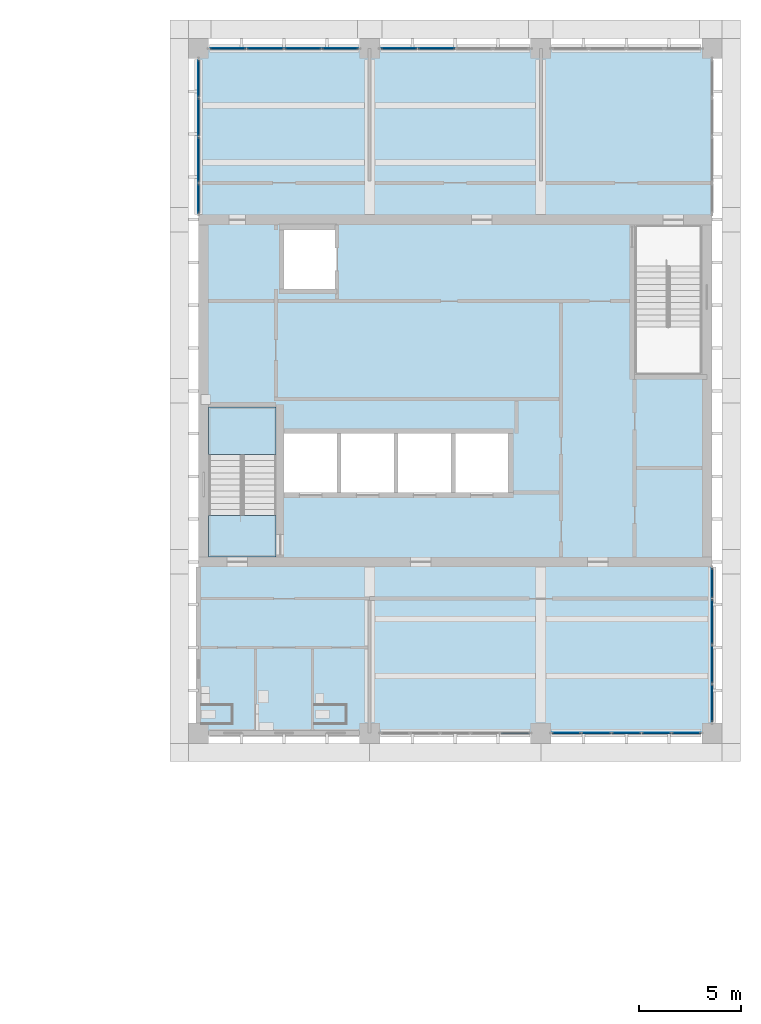
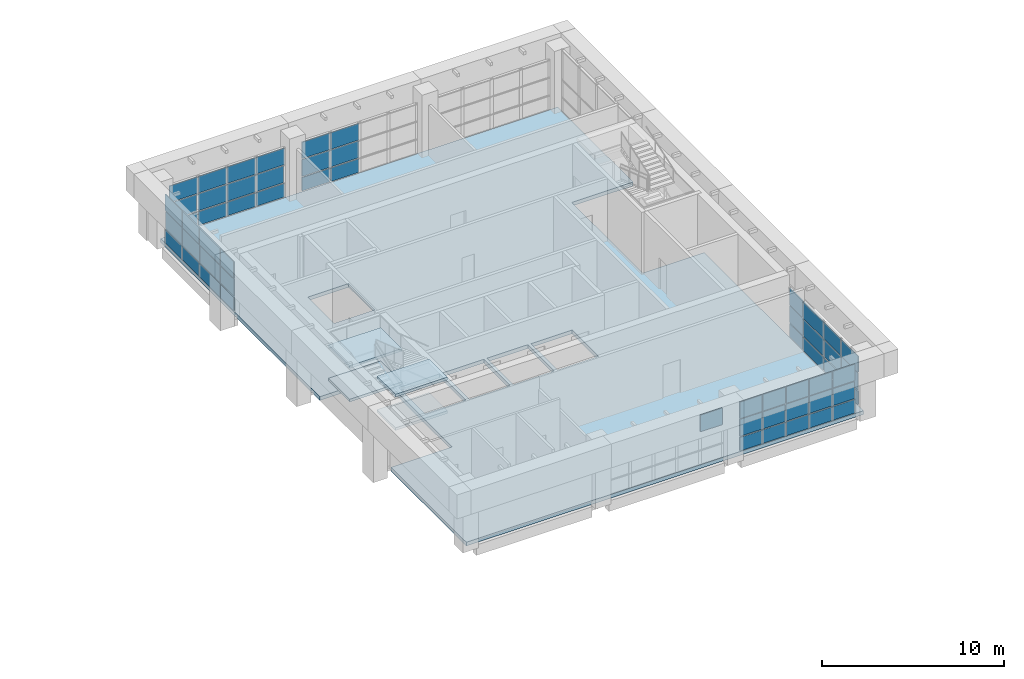
# One storey, part 15 of 56: 58 plates, 5 slabs, 7 elements without a shape of their own.
"""IFC4 building model written with IfcOpenShell, lengths in metres."""

from ifc_helpers import new_model, si_unit, direction, frame, origin, origin_2d, place, context, subcontext, project, spatial, polyline, rectangle, outline, extrude, material, layer, layer_set, type_object, element, aggregate, save


model = new_model("IFC4")

# Units and contexts
model_context = context("Model", 3, precision=1e-05, world=origin(), true_north=direction((0.0, 1.0)))
body_context = subcontext(model_context, "Body", "Model", "MODEL_VIEW")
ifc_project = project(units=[si_unit("LENGTHUNIT", "METRE"), si_unit("AREAUNIT", "SQUARE_METRE"), si_unit("VOLUMEUNIT", "CUBIC_METRE"), si_unit("PLANEANGLEUNIT", "RADIAN"), si_unit("MASSUNIT", "GRAM", prefix="KILO")], contexts=[model_context])

# Site, building, storey
site_placement = place(None, origin())
site = spatial("IfcSite", under=ifc_project, at=site_placement, CompositionType="ELEMENT")
building_placement = place(site_placement, origin())
building = spatial("IfcBuilding", under=site, at=building_placement, Name="Rulbaag Community and Learning Centre", CompositionType="ELEMENT")
storey_placement = place(building_placement, frame((0.0, 0.0, 9.89990234375)))
storey = spatial("IfcBuildingStorey", under=building, at=storey_placement, Name="L02", CompositionType="ELEMENT", Elevation=9.89990234375)

# Curtain wall, plate
ifc_material_1 = material(Name="Aluminium", Category="aluminium")
ifc_layer_1 = layer(ifc_material_1, 0.14990234375)
ifc_layer_set_1 = layer_set([ifc_layer_1], Name="CW-S")
curtain_wall_type_1 = type_object("IfcCurtainWallType", Name="CW-S", PredefinedType="USERDEFINED", material=ifc_layer_set_1)
curtain_wall_1_placement = place(storey_placement, origin())
curtain_wall_1 = element("IfcCurtainWall", 1, at=curtain_wall_1_placement, inside=storey, type_object=curtain_wall_type_1, Name="GS-L02-01", ObjectType="UNITISED CURTAIN WALL", PredefinedType="USERDEFINED")
ifc_layer_2 = layer(ifc_material_1, 0.054931640625)
ifc_layer_set_2 = layer_set([ifc_layer_2], Name="CW-S-SPN")
plate_type_1 = type_object("IfcPlateType", Name="CW-S-SPN", PredefinedType="CURTAIN_PANEL", material=ifc_layer_set_2)
plate_1_placement = place(storey_placement, frame((158.344970703125, 84.0, 2.22998046875), z_axis=(0.0, 0.0, 1.0), x_axis=(1.0, 0.0, 0.0)))
plate_1 = element("IfcPlate", 2, at=plate_1_placement, type_object=plate_type_1, Name="GS spandrel panel", PredefinedType="CURTAIN_PANEL", context=body_context, shape_type="SweptSolid", body=[
    extrude(rectangle(XDim=1.389892578125, YDim=0.054931640625, at=origin_2d()), origin(), (0.0, 0.0, 1.0), 1.110107421875),
])
aggregate(curtain_wall_1, [plate_1])

# Curtain wall, plates
curtain_wall_2_placement = place(storey_placement, origin())
curtain_wall_2 = element("IfcCurtainWall", 3, at=curtain_wall_2_placement, inside=storey, type_object=curtain_wall_type_1, Name="GS-L02-02", ObjectType="UNITISED CURTAIN WALL", PredefinedType="USERDEFINED")
plate_2_placement = place(storey_placement, frame((160.85498046875, 84.0, 0.06005859375), z_axis=(0.0, 0.0, 1.0), x_axis=(1.0, 0.0, 0.0)))
plate_2 = element("IfcPlate", 4, at=plate_2_placement, type_object=plate_type_1, Name="GS spandrel panel", PredefinedType="CURTAIN_PANEL", context=body_context, shape_type="SweptSolid", body=[
    extrude(rectangle(XDim=1.389892578125, YDim=0.054931640625, at=origin_2d()), origin(), (0.0, 0.0, 1.0), 0.909912109375),
])
plate_3_placement = place(storey_placement, frame((160.85498046875, 84.0, 2.22998046875), z_axis=(0.0, 0.0, 1.0), x_axis=(1.0, 0.0, 0.0)))
plate_3 = element("IfcPlate", 5, at=plate_3_placement, type_object=plate_type_1, Name="GS spandrel panel", PredefinedType="CURTAIN_PANEL", context=body_context, shape_type="SweptSolid", body=[
    extrude(rectangle(XDim=1.389892578125, YDim=0.054931640625, at=origin_2d()), origin(), (0.0, 0.0, 1.0), 1.110107421875),
])
plate_4_placement = place(storey_placement, frame((162.320068359375, 84.0, 0.06005859375), z_axis=(0.0, 0.0, 1.0), x_axis=(1.0, 0.0, 0.0)))
plate_4 = element("IfcPlate", 6, at=plate_4_placement, type_object=plate_type_1, Name="GS spandrel panel", PredefinedType="CURTAIN_PANEL", context=body_context, shape_type="SweptSolid", body=[
    extrude(rectangle(XDim=1.419921875, YDim=0.054931640625, at=origin_2d()), origin(), (0.0, 0.0, 1.0), 0.909912109375),
])
plate_5_placement = place(storey_placement, frame((162.320068359375, 84.0, 2.22998046875), z_axis=(0.0, 0.0, 1.0), x_axis=(1.0, 0.0, 0.0)))
plate_5 = element("IfcPlate", 7, at=plate_5_placement, type_object=plate_type_1, Name="GS spandrel panel", PredefinedType="CURTAIN_PANEL", context=body_context, shape_type="SweptSolid", body=[
    extrude(rectangle(XDim=1.419921875, YDim=0.054931640625, at=origin_2d()), origin(), (0.0, 0.0, 1.0), 1.110107421875),
])
plate_6_placement = place(storey_placement, frame((163.800048828125, 84.0, 0.06005859375), z_axis=(0.0, 0.0, 1.0), x_axis=(1.0, 0.0, 0.0)))
plate_6 = element("IfcPlate", 8, at=plate_6_placement, type_object=plate_type_1, Name="GS spandrel panel", PredefinedType="CURTAIN_PANEL", context=body_context, shape_type="SweptSolid", body=[
    extrude(rectangle(XDim=1.419921875, YDim=0.054931640625, at=origin_2d()), origin(), (0.0, 0.0, 1.0), 0.909912109375),
])
plate_7_placement = place(storey_placement, frame((163.800048828125, 84.0, 2.22998046875), z_axis=(0.0, 0.0, 1.0), x_axis=(1.0, 0.0, 0.0)))
plate_7 = element("IfcPlate", 9, at=plate_7_placement, type_object=plate_type_1, Name="GS spandrel panel", PredefinedType="CURTAIN_PANEL", context=body_context, shape_type="SweptSolid", body=[
    extrude(rectangle(XDim=1.419921875, YDim=0.054931640625, at=origin_2d()), origin(), (0.0, 0.0, 1.0), 1.110107421875),
])
plate_8_placement = place(storey_placement, frame((165.280029296875, 84.0, 0.06005859375), z_axis=(0.0, 0.0, 1.0), x_axis=(1.0, 0.0, 0.0)))
plate_8 = element("IfcPlate", 10, at=plate_8_placement, type_object=plate_type_1, Name="GS spandrel panel", PredefinedType="CURTAIN_PANEL", context=body_context, shape_type="SweptSolid", body=[
    extrude(rectangle(XDim=1.419921875, YDim=0.054931640625, at=origin_2d()), origin(), (0.0, 0.0, 1.0), 0.909912109375),
])
plate_9_placement = place(storey_placement, frame((165.280029296875, 84.0, 2.22998046875), z_axis=(0.0, 0.0, 1.0), x_axis=(1.0, 0.0, 0.0)))
plate_9 = element("IfcPlate", 11, at=plate_9_placement, type_object=plate_type_1, Name="GS spandrel panel", PredefinedType="CURTAIN_PANEL", context=body_context, shape_type="SweptSolid", body=[
    extrude(rectangle(XDim=1.419921875, YDim=0.054931640625, at=origin_2d()), origin(), (0.0, 0.0, 1.0), 1.110107421875),
])
plate_10_placement = place(storey_placement, frame((166.7451171875, 84.0, 0.06005859375), z_axis=(0.0, 0.0, 1.0), x_axis=(1.0, 0.0, 0.0)))
plate_10 = element("IfcPlate", 12, at=plate_10_placement, type_object=plate_type_1, Name="GS spandrel panel", PredefinedType="CURTAIN_PANEL", context=body_context, shape_type="SweptSolid", body=[
    extrude(rectangle(XDim=1.389892578125, YDim=0.054931640625, at=origin_2d()), origin(), (0.0, 0.0, 1.0), 0.909912109375),
])
plate_11_placement = place(storey_placement, frame((166.7451171875, 84.0, 2.22998046875), z_axis=(0.0, 0.0, 1.0), x_axis=(1.0, 0.0, 0.0)))
plate_11 = element("IfcPlate", 13, at=plate_11_placement, type_object=plate_type_1, Name="GS spandrel panel", PredefinedType="CURTAIN_PANEL", context=body_context, shape_type="SweptSolid", body=[
    extrude(rectangle(XDim=1.389892578125, YDim=0.054931640625, at=origin_2d()), origin(), (0.0, 0.0, 1.0), 1.110107421875),
])
ifc_material_2 = material(Name="Glass", Category="glass")
ifc_layer_3 = layer(ifc_material_2, 0.030029296875)
ifc_layer_set_3 = layer_set([ifc_layer_3], Name="CW-S-VIS")
plate_type_2 = type_object("IfcPlateType", Name="CW-S-VIS", PredefinedType="CURTAIN_PANEL", material=ifc_layer_set_3)
plate_12_placement = place(storey_placement, frame((160.85498046875, 84.0, 1.0302734375), z_axis=(0.0, 0.0, 1.0), x_axis=(1.0, 0.0, 0.0)))
plate_12 = element("IfcPlate", 14, at=plate_12_placement, type_object=plate_type_2, Name="GS vision panel", PredefinedType="CURTAIN_PANEL", context=body_context, shape_type="SweptSolid", body=[
    extrude(rectangle(XDim=1.389892578125, YDim=0.030029296875, at=origin_2d()), origin(), (0.0, 0.0, 1.0), 1.139892578125),
])
plate_13_placement = place(storey_placement, frame((162.320068359375, 84.0, 1.0302734375), z_axis=(0.0, 0.0, 1.0), x_axis=(1.0, 0.0, 0.0)))
plate_13 = element("IfcPlate", 15, at=plate_13_placement, type_object=plate_type_2, Name="GS vision panel", PredefinedType="CURTAIN_PANEL", context=body_context, shape_type="SweptSolid", body=[
    extrude(rectangle(XDim=1.419921875, YDim=0.030029296875, at=origin_2d()), origin(), (0.0, 0.0, 1.0), 1.139892578125),
])
plate_14_placement = place(storey_placement, frame((163.800048828125, 84.0, 1.0302734375), z_axis=(0.0, 0.0, 1.0), x_axis=(1.0, 0.0, 0.0)))
plate_14 = element("IfcPlate", 16, at=plate_14_placement, type_object=plate_type_2, Name="GS vision panel", PredefinedType="CURTAIN_PANEL", context=body_context, shape_type="SweptSolid", body=[
    extrude(rectangle(XDim=1.419921875, YDim=0.030029296875, at=origin_2d()), origin(), (0.0, 0.0, 1.0), 1.139892578125),
])
plate_15_placement = place(storey_placement, frame((165.280029296875, 84.0, 1.0302734375), z_axis=(0.0, 0.0, 1.0), x_axis=(1.0, 0.0, 0.0)))
plate_15 = element("IfcPlate", 17, at=plate_15_placement, type_object=plate_type_2, Name="GS vision panel", PredefinedType="CURTAIN_PANEL", context=body_context, shape_type="SweptSolid", body=[
    extrude(rectangle(XDim=1.419921875, YDim=0.030029296875, at=origin_2d()), origin(), (0.0, 0.0, 1.0), 1.139892578125),
])
plate_16_placement = place(storey_placement, frame((166.7451171875, 84.0, 1.0302734375), z_axis=(0.0, 0.0, 1.0), x_axis=(1.0, 0.0, 0.0)))
plate_16 = element("IfcPlate", 18, at=plate_16_placement, type_object=plate_type_2, Name="GS vision panel", PredefinedType="CURTAIN_PANEL", context=body_context, shape_type="SweptSolid", body=[
    extrude(rectangle(XDim=1.389892578125, YDim=0.030029296875, at=origin_2d()), origin(), (0.0, 0.0, 1.0), 1.139892578125),
])
aggregate(curtain_wall_2, [plate_2, plate_12, plate_3, plate_4, plate_13, plate_5, plate_6, plate_14, plate_7, plate_8, plate_15, plate_9, plate_10, plate_16, plate_11])

ifc_layer_4 = layer(ifc_material_1, 0.14990234375)
ifc_layer_set_4 = layer_set([ifc_layer_4], Name="CW-T")
curtain_wall_type_2 = type_object("IfcCurtainWallType", Name="CW-T", PredefinedType="USERDEFINED", material=ifc_layer_set_4)
curtain_wall_3_placement = place(storey_placement, origin())
curtain_wall_3 = element("IfcCurtainWall", 19, at=curtain_wall_3_placement, inside=storey, type_object=curtain_wall_type_2, Name="GT-L02-01", ObjectType="UNITISED CURTAIN WALL", PredefinedType="USERDEFINED")
ifc_layer_5 = layer(ifc_material_1, 0.06005859375)
ifc_layer_set_5 = layer_set([ifc_layer_5], Name="CW-T-SPN")
plate_type_3 = type_object("IfcPlateType", Name="CW-T-SPN", PredefinedType="CURTAIN_PANEL", material=ifc_layer_set_5)
plate_17_placement = place(storey_placement, frame((144.2412109375, 117.60009765625, 0.06494140625), z_axis=(0.0, 0.0, 1.0), x_axis=(1.0, 0.0, 0.0)))
plate_17 = element("IfcPlate", 20, at=plate_17_placement, type_object=plate_type_3, Name="GT spandrel panel", PredefinedType="CURTAIN_PANEL", context=body_context, shape_type="SweptSolid", body=[
    extrude(rectangle(XDim=1.75244140625, YDim=0.06005859375, at=origin_2d()), origin(), (0.0, 0.0, 1.0), 0.902587890625),
])
plate_18_placement = place(storey_placement, frame((144.2412109375, 117.60009765625, 2.232666015625), z_axis=(0.0, 0.0, 1.0), x_axis=(1.0, 0.0, 0.0)))
plate_18 = element("IfcPlate", 21, at=plate_18_placement, type_object=plate_type_3, Name="GT spandrel panel", PredefinedType="CURTAIN_PANEL", context=body_context, shape_type="SweptSolid", body=[
    extrude(rectangle(XDim=1.75244140625, YDim=0.06005859375, at=origin_2d()), origin(), (0.0, 0.0, 1.0), 1.1025390625),
])
plate_19_placement = place(storey_placement, frame((146.074951171875, 117.60009765625, 0.06494140625), z_axis=(0.0, 0.0, 1.0), x_axis=(1.0, 0.0, 0.0)))
plate_19 = element("IfcPlate", 22, at=plate_19_placement, type_object=plate_type_3, Name="GT spandrel panel", PredefinedType="CURTAIN_PANEL", context=body_context, shape_type="SweptSolid", body=[
    extrude(rectangle(XDim=1.784912109375, YDim=0.06005859375, at=origin_2d()), origin(), (0.0, 0.0, 1.0), 0.902587890625),
])
plate_20_placement = place(storey_placement, frame((146.074951171875, 117.60009765625, 2.232666015625), z_axis=(0.0, 0.0, 1.0), x_axis=(1.0, 0.0, 0.0)))
plate_20 = element("IfcPlate", 23, at=plate_20_placement, type_object=plate_type_3, Name="GT spandrel panel", PredefinedType="CURTAIN_PANEL", context=body_context, shape_type="SweptSolid", body=[
    extrude(rectangle(XDim=1.784912109375, YDim=0.06005859375, at=origin_2d()), origin(), (0.0, 0.0, 1.0), 1.1025390625),
])
plate_21_placement = place(storey_placement, frame((147.925048828125, 117.60009765625, 0.06494140625), z_axis=(0.0, 0.0, 1.0), x_axis=(1.0, 0.0, 0.0)))
plate_21 = element("IfcPlate", 24, at=plate_21_placement, type_object=plate_type_3, Name="GT spandrel panel", PredefinedType="CURTAIN_PANEL", context=body_context, shape_type="SweptSolid", body=[
    extrude(rectangle(XDim=1.784912109375, YDim=0.06005859375, at=origin_2d()), origin(), (0.0, 0.0, 1.0), 0.902587890625),
])
plate_22_placement = place(storey_placement, frame((147.925048828125, 117.60009765625, 2.232666015625), z_axis=(0.0, 0.0, 1.0), x_axis=(1.0, 0.0, 0.0)))
plate_22 = element("IfcPlate", 25, at=plate_22_placement, type_object=plate_type_3, Name="GT spandrel panel", PredefinedType="CURTAIN_PANEL", context=body_context, shape_type="SweptSolid", body=[
    extrude(rectangle(XDim=1.784912109375, YDim=0.06005859375, at=origin_2d()), origin(), (0.0, 0.0, 1.0), 1.1025390625),
])
plate_23_placement = place(storey_placement, frame((149.7587890625, 117.60009765625, 0.06494140625), z_axis=(0.0, 0.0, 1.0), x_axis=(1.0, 0.0, 0.0)))
plate_23 = element("IfcPlate", 26, at=plate_23_placement, type_object=plate_type_3, Name="GT spandrel panel", PredefinedType="CURTAIN_PANEL", context=body_context, shape_type="SweptSolid", body=[
    extrude(rectangle(XDim=1.75244140625, YDim=0.06005859375, at=origin_2d()), origin(), (0.0, 0.0, 1.0), 0.902587890625),
])
plate_24_placement = place(storey_placement, frame((149.7587890625, 117.60009765625, 2.232666015625), z_axis=(0.0, 0.0, 1.0), x_axis=(1.0, 0.0, 0.0)))
plate_24 = element("IfcPlate", 27, at=plate_24_placement, type_object=plate_type_3, Name="GT spandrel panel", PredefinedType="CURTAIN_PANEL", context=body_context, shape_type="SweptSolid", body=[
    extrude(rectangle(XDim=1.75244140625, YDim=0.06005859375, at=origin_2d()), origin(), (0.0, 0.0, 1.0), 1.1025390625),
])

curtain_wall_4_placement = place(storey_placement, origin())
curtain_wall_4 = element("IfcCurtainWall", 28, at=curtain_wall_4_placement, inside=storey, type_object=curtain_wall_type_2, Name="GT-L02-02", ObjectType="UNITISED CURTAIN WALL", PredefinedType="USERDEFINED")
plate_25_placement = place(storey_placement, frame((152.641357421875, 117.60009765625, 0.06494140625), z_axis=(0.0, 0.0, 1.0), x_axis=(1.0, 0.0, 0.0)))
plate_25 = element("IfcPlate", 29, at=plate_25_placement, type_object=plate_type_3, Name="GT spandrel panel", PredefinedType="CURTAIN_PANEL", context=body_context, shape_type="SweptSolid", body=[
    extrude(rectangle(XDim=1.75244140625, YDim=0.06005859375, at=origin_2d()), origin(), (0.0, 0.0, 1.0), 0.902587890625),
])
plate_26_placement = place(storey_placement, frame((152.641357421875, 117.60009765625, 2.232666015625), z_axis=(0.0, 0.0, 1.0), x_axis=(1.0, 0.0, 0.0)))
plate_26 = element("IfcPlate", 30, at=plate_26_placement, type_object=plate_type_3, Name="GT spandrel panel", PredefinedType="CURTAIN_PANEL", context=body_context, shape_type="SweptSolid", body=[
    extrude(rectangle(XDim=1.75244140625, YDim=0.06005859375, at=origin_2d()), origin(), (0.0, 0.0, 1.0), 1.1025390625),
])
plate_27_placement = place(storey_placement, frame((154.47509765625, 117.60009765625, 0.06494140625), z_axis=(0.0, 0.0, 1.0), x_axis=(1.0, 0.0, 0.0)))
plate_27 = element("IfcPlate", 31, at=plate_27_placement, type_object=plate_type_3, Name="GT spandrel panel", PredefinedType="CURTAIN_PANEL", context=body_context, shape_type="SweptSolid", body=[
    extrude(rectangle(XDim=1.784912109375, YDim=0.06005859375, at=origin_2d()), origin(), (0.0, 0.0, 1.0), 0.902587890625),
])
plate_28_placement = place(storey_placement, frame((154.47509765625, 117.60009765625, 2.232666015625), z_axis=(0.0, 0.0, 1.0), x_axis=(1.0, 0.0, 0.0)))
plate_28 = element("IfcPlate", 32, at=plate_28_placement, type_object=plate_type_3, Name="GT spandrel panel", PredefinedType="CURTAIN_PANEL", context=body_context, shape_type="SweptSolid", body=[
    extrude(rectangle(XDim=1.784912109375, YDim=0.06005859375, at=origin_2d()), origin(), (0.0, 0.0, 1.0), 1.1025390625),
])

curtain_wall_5_placement = place(storey_placement, origin())
curtain_wall_5 = element("IfcCurtainWall", 33, at=curtain_wall_5_placement, inside=storey, type_object=curtain_wall_type_2, Name="GT-L02-04", ObjectType="UNITISED CURTAIN WALL", PredefinedType="USERDEFINED")
plate_29_placement = place(storey_placement, frame((142.800048828125, 110.2412109375, 0.06494140625), z_axis=(0.0, 0.0, 1.0), x_axis=(0.0, 1.0, 0.0)))
plate_29 = element("IfcPlate", 34, at=plate_29_placement, type_object=plate_type_3, Name="GT spandrel panel", PredefinedType="CURTAIN_PANEL", context=body_context, shape_type="SweptSolid", body=[
    extrude(rectangle(XDim=1.452392578125, YDim=0.06005859375, at=origin_2d()), origin(), (0.0, 0.0, 1.0), 0.902587890625),
])
plate_30_placement = place(storey_placement, frame((142.800048828125, 110.2412109375, 2.232666015625), z_axis=(0.0, 0.0, 1.0), x_axis=(0.0, 1.0, 0.0)))
plate_30 = element("IfcPlate", 35, at=plate_30_placement, type_object=plate_type_3, Name="GT spandrel panel", PredefinedType="CURTAIN_PANEL", context=body_context, shape_type="SweptSolid", body=[
    extrude(rectangle(XDim=1.452392578125, YDim=0.06005859375, at=origin_2d()), origin(), (0.0, 0.0, 1.0), 1.1025390625),
])
plate_31_placement = place(storey_placement, frame((142.800048828125, 112.137451171875, 0.06494140625), z_axis=(0.0, 0.0, 1.0), x_axis=(0.0, 1.0, 0.0)))
plate_31 = element("IfcPlate", 36, at=plate_31_placement, type_object=plate_type_3, Name="GT spandrel panel", PredefinedType="CURTAIN_PANEL", context=body_context, shape_type="SweptSolid", body=[
    extrude(rectangle(XDim=2.2099609375, YDim=0.06005859375, at=origin_2d()), origin(), (0.0, 0.0, 1.0), 0.902587890625),
])
plate_32_placement = place(storey_placement, frame((142.800048828125, 112.137451171875, 2.232666015625), z_axis=(0.0, 0.0, 1.0), x_axis=(0.0, 1.0, 0.0)))
plate_32 = element("IfcPlate", 37, at=plate_32_placement, type_object=plate_type_3, Name="GT spandrel panel", PredefinedType="CURTAIN_PANEL", context=body_context, shape_type="SweptSolid", body=[
    extrude(rectangle(XDim=2.2099609375, YDim=0.06005859375, at=origin_2d()), origin(), (0.0, 0.0, 1.0), 1.1025390625),
])
plate_33_placement = place(storey_placement, frame((142.800048828125, 114.231201171875, 0.06494140625), z_axis=(0.0, 0.0, 1.0), x_axis=(0.0, 1.0, 0.0)))
plate_33 = element("IfcPlate", 38, at=plate_33_placement, type_object=plate_type_3, Name="GT spandrel panel", PredefinedType="CURTAIN_PANEL", context=body_context, shape_type="SweptSolid", body=[
    extrude(rectangle(XDim=1.847412109375, YDim=0.06005859375, at=origin_2d()), origin(), (0.0, 0.0, 1.0), 0.902587890625),
])
plate_34_placement = place(storey_placement, frame((142.800048828125, 114.231201171875, 2.232666015625), z_axis=(0.0, 0.0, 1.0), x_axis=(0.0, 1.0, 0.0)))
plate_34 = element("IfcPlate", 39, at=plate_34_placement, type_object=plate_type_3, Name="GT spandrel panel", PredefinedType="CURTAIN_PANEL", context=body_context, shape_type="SweptSolid", body=[
    extrude(rectangle(XDim=1.847412109375, YDim=0.06005859375, at=origin_2d()), origin(), (0.0, 0.0, 1.0), 1.1025390625),
])
plate_35_placement = place(storey_placement, frame((142.800048828125, 116.12744140625, 0.06494140625), z_axis=(0.0, 0.0, 1.0), x_axis=(0.0, 1.0, 0.0)))
plate_35 = element("IfcPlate", 40, at=plate_35_placement, type_object=plate_type_3, Name="GT spandrel panel", PredefinedType="CURTAIN_PANEL", context=body_context, shape_type="SweptSolid", body=[
    extrude(rectangle(XDim=1.81494140625, YDim=0.06005859375, at=origin_2d()), origin(), (0.0, 0.0, 1.0), 0.902587890625),
])
plate_36_placement = place(storey_placement, frame((142.800048828125, 116.12744140625, 2.232666015625), z_axis=(0.0, 0.0, 1.0), x_axis=(0.0, 1.0, 0.0)))
plate_36 = element("IfcPlate", 41, at=plate_36_placement, type_object=plate_type_3, Name="GT spandrel panel", PredefinedType="CURTAIN_PANEL", context=body_context, shape_type="SweptSolid", body=[
    extrude(rectangle(XDim=1.81494140625, YDim=0.06005859375, at=origin_2d()), origin(), (0.0, 0.0, 1.0), 1.1025390625),
])

curtain_wall_6_placement = place(storey_placement, origin())
curtain_wall_6 = element("IfcCurtainWall", 42, at=curtain_wall_6_placement, inside=storey, type_object=curtain_wall_type_2, Name="GT-L02-05", ObjectType="UNITISED CURTAIN WALL", PredefinedType="USERDEFINED")
plate_37_placement = place(storey_placement, frame((168.0, 85.472412109375, 0.06494140625), z_axis=(0.0, 0.0, 1.0), x_axis=(0.0, 1.0, 0.0)))
plate_37 = element("IfcPlate", 43, at=plate_37_placement, type_object=plate_type_3, Name="GT spandrel panel", PredefinedType="CURTAIN_PANEL", context=body_context, shape_type="SweptSolid", body=[
    extrude(rectangle(XDim=1.81494140625, YDim=0.06005859375, at=origin_2d()), origin(), (0.0, 0.0, 1.0), 0.902587890625),
])
plate_38_placement = place(storey_placement, frame((168.0, 85.472412109375, 2.232666015625), z_axis=(0.0, 0.0, 1.0), x_axis=(0.0, 1.0, 0.0)))
plate_38 = element("IfcPlate", 44, at=plate_38_placement, type_object=plate_type_3, Name="GT spandrel panel", PredefinedType="CURTAIN_PANEL", context=body_context, shape_type="SweptSolid", body=[
    extrude(rectangle(XDim=1.81494140625, YDim=0.06005859375, at=origin_2d()), origin(), (0.0, 0.0, 1.0), 1.1025390625),
])
plate_39_placement = place(storey_placement, frame((168.0, 87.36865234375, 0.06494140625), z_axis=(0.0, 0.0, 1.0), x_axis=(0.0, 1.0, 0.0)))
plate_39 = element("IfcPlate", 45, at=plate_39_placement, type_object=plate_type_3, Name="GT spandrel panel", PredefinedType="CURTAIN_PANEL", context=body_context, shape_type="SweptSolid", body=[
    extrude(rectangle(XDim=1.847412109375, YDim=0.06005859375, at=origin_2d()), origin(), (0.0, 0.0, 1.0), 0.902587890625),
])
plate_40_placement = place(storey_placement, frame((168.0, 87.36865234375, 2.232666015625), z_axis=(0.0, 0.0, 1.0), x_axis=(0.0, 1.0, 0.0)))
plate_40 = element("IfcPlate", 46, at=plate_40_placement, type_object=plate_type_3, Name="GT spandrel panel", PredefinedType="CURTAIN_PANEL", context=body_context, shape_type="SweptSolid", body=[
    extrude(rectangle(XDim=1.847412109375, YDim=0.06005859375, at=origin_2d()), origin(), (0.0, 0.0, 1.0), 1.1025390625),
])
plate_41_placement = place(storey_placement, frame((168.0, 89.46240234375, 0.06494140625), z_axis=(0.0, 0.0, 1.0), x_axis=(0.0, 1.0, 0.0)))
plate_41 = element("IfcPlate", 47, at=plate_41_placement, type_object=plate_type_3, Name="GT spandrel panel", PredefinedType="CURTAIN_PANEL", context=body_context, shape_type="SweptSolid", body=[
    extrude(rectangle(XDim=2.2099609375, YDim=0.06005859375, at=origin_2d()), origin(), (0.0, 0.0, 1.0), 0.902587890625),
])
plate_42_placement = place(storey_placement, frame((168.0, 89.46240234375, 2.232666015625), z_axis=(0.0, 0.0, 1.0), x_axis=(0.0, 1.0, 0.0)))
plate_42 = element("IfcPlate", 48, at=plate_42_placement, type_object=plate_type_3, Name="GT spandrel panel", PredefinedType="CURTAIN_PANEL", context=body_context, shape_type="SweptSolid", body=[
    extrude(rectangle(XDim=2.2099609375, YDim=0.06005859375, at=origin_2d()), origin(), (0.0, 0.0, 1.0), 1.1025390625),
])
plate_43_placement = place(storey_placement, frame((168.0, 91.358642578125, 0.06494140625), z_axis=(0.0, 0.0, 1.0), x_axis=(0.0, 1.0, 0.0)))
plate_43 = element("IfcPlate", 49, at=plate_43_placement, type_object=plate_type_3, Name="GT spandrel panel", PredefinedType="CURTAIN_PANEL", context=body_context, shape_type="SweptSolid", body=[
    extrude(rectangle(XDim=1.452392578125, YDim=0.06005859375, at=origin_2d()), origin(), (0.0, 0.0, 1.0), 0.902587890625),
])
plate_44_placement = place(storey_placement, frame((168.0, 91.358642578125, 2.232666015625), z_axis=(0.0, 0.0, 1.0), x_axis=(0.0, 1.0, 0.0)))
plate_44 = element("IfcPlate", 50, at=plate_44_placement, type_object=plate_type_3, Name="GT spandrel panel", PredefinedType="CURTAIN_PANEL", context=body_context, shape_type="SweptSolid", body=[
    extrude(rectangle(XDim=1.452392578125, YDim=0.06005859375, at=origin_2d()), origin(), (0.0, 0.0, 1.0), 1.1025390625),
])

# Plate
ifc_layer_6 = layer(ifc_material_2, 0.028076171875)
ifc_layer_set_6 = layer_set([ifc_layer_6], Name="CW-T-VIS")
plate_type_4 = type_object("IfcPlateType", Name="CW-T-VIS", PredefinedType="CURTAIN_PANEL", material=ifc_layer_set_6)
plate_45_placement = place(storey_placement, frame((144.2412109375, 117.60009765625, 1.03271484375), z_axis=(0.0, 0.0, 1.0), x_axis=(1.0, 0.0, 0.0)))
plate_45 = element("IfcPlate", 51, at=plate_45_placement, type_object=plate_type_4, Name="GT vision panel", PredefinedType="CURTAIN_PANEL", context=body_context, shape_type="SweptSolid", body=[
    extrude(rectangle(XDim=1.75244140625, YDim=0.028076171875, at=origin_2d()), origin(), (0.0, 0.0, 1.0), 1.135009765625),
])

plate_46_placement = place(storey_placement, frame((146.074951171875, 117.60009765625, 1.03271484375), z_axis=(0.0, 0.0, 1.0), x_axis=(1.0, 0.0, 0.0)))
plate_46 = element("IfcPlate", 52, at=plate_46_placement, type_object=plate_type_4, Name="GT vision panel", PredefinedType="CURTAIN_PANEL", context=body_context, shape_type="SweptSolid", body=[
    extrude(rectangle(XDim=1.784912109375, YDim=0.028076171875, at=origin_2d()), origin(), (0.0, 0.0, 1.0), 1.135009765625),
])

plate_47_placement = place(storey_placement, frame((147.925048828125, 117.60009765625, 1.03271484375), z_axis=(0.0, 0.0, 1.0), x_axis=(1.0, 0.0, 0.0)))
plate_47 = element("IfcPlate", 53, at=plate_47_placement, type_object=plate_type_4, Name="GT vision panel", PredefinedType="CURTAIN_PANEL", context=body_context, shape_type="SweptSolid", body=[
    extrude(rectangle(XDim=1.784912109375, YDim=0.028076171875, at=origin_2d()), origin(), (0.0, 0.0, 1.0), 1.135009765625),
])

plate_48_placement = place(storey_placement, frame((149.7587890625, 117.60009765625, 1.03271484375), z_axis=(0.0, 0.0, 1.0), x_axis=(1.0, 0.0, 0.0)))
plate_48 = element("IfcPlate", 54, at=plate_48_placement, type_object=plate_type_4, Name="GT vision panel", PredefinedType="CURTAIN_PANEL", context=body_context, shape_type="SweptSolid", body=[
    extrude(rectangle(XDim=1.75244140625, YDim=0.028076171875, at=origin_2d()), origin(), (0.0, 0.0, 1.0), 1.135009765625),
])

aggregate(curtain_wall_3, [plate_17, plate_45, plate_18, plate_19, plate_46, plate_20, plate_21, plate_47, plate_22, plate_23, plate_48, plate_24])

plate_49_placement = place(storey_placement, frame((152.641357421875, 117.60009765625, 1.03271484375), z_axis=(0.0, 0.0, 1.0), x_axis=(1.0, 0.0, 0.0)))
plate_49 = element("IfcPlate", 55, at=plate_49_placement, type_object=plate_type_4, Name="GT vision panel", PredefinedType="CURTAIN_PANEL", context=body_context, shape_type="SweptSolid", body=[
    extrude(rectangle(XDim=1.75244140625, YDim=0.028076171875, at=origin_2d()), origin(), (0.0, 0.0, 1.0), 1.135009765625),
])

plate_50_placement = place(storey_placement, frame((154.47509765625, 117.60009765625, 1.03271484375), z_axis=(0.0, 0.0, 1.0), x_axis=(1.0, 0.0, 0.0)))
plate_50 = element("IfcPlate", 56, at=plate_50_placement, type_object=plate_type_4, Name="GT vision panel", PredefinedType="CURTAIN_PANEL", context=body_context, shape_type="SweptSolid", body=[
    extrude(rectangle(XDim=1.784912109375, YDim=0.028076171875, at=origin_2d()), origin(), (0.0, 0.0, 1.0), 1.135009765625),
])

aggregate(curtain_wall_4, [plate_25, plate_49, plate_26, plate_27, plate_50, plate_28])

plate_51_placement = place(storey_placement, frame((142.800048828125, 110.2412109375, 1.03271484375), z_axis=(0.0, 0.0, 1.0), x_axis=(0.0, 1.0, 0.0)))
plate_51 = element("IfcPlate", 57, at=plate_51_placement, type_object=plate_type_4, Name="GT vision panel", PredefinedType="CURTAIN_PANEL", context=body_context, shape_type="SweptSolid", body=[
    extrude(rectangle(XDim=1.452392578125, YDim=0.028076171875, at=origin_2d()), origin(), (0.0, 0.0, 1.0), 1.135009765625),
])

plate_52_placement = place(storey_placement, frame((142.800048828125, 112.137451171875, 1.03271484375), z_axis=(0.0, 0.0, 1.0), x_axis=(0.0, 1.0, 0.0)))
plate_52 = element("IfcPlate", 58, at=plate_52_placement, type_object=plate_type_4, Name="GT vision panel", PredefinedType="CURTAIN_PANEL", context=body_context, shape_type="SweptSolid", body=[
    extrude(rectangle(XDim=2.2099609375, YDim=0.028076171875, at=origin_2d()), origin(), (0.0, 0.0, 1.0), 1.135009765625),
])

plate_53_placement = place(storey_placement, frame((142.800048828125, 114.231201171875, 1.03271484375), z_axis=(0.0, 0.0, 1.0), x_axis=(0.0, 1.0, 0.0)))
plate_53 = element("IfcPlate", 59, at=plate_53_placement, type_object=plate_type_4, Name="GT vision panel", PredefinedType="CURTAIN_PANEL", context=body_context, shape_type="SweptSolid", body=[
    extrude(rectangle(XDim=1.847412109375, YDim=0.028076171875, at=origin_2d()), origin(), (0.0, 0.0, 1.0), 1.135009765625),
])

plate_54_placement = place(storey_placement, frame((142.800048828125, 116.12744140625, 1.03271484375), z_axis=(0.0, 0.0, 1.0), x_axis=(0.0, 1.0, 0.0)))
plate_54 = element("IfcPlate", 60, at=plate_54_placement, type_object=plate_type_4, Name="GT vision panel", PredefinedType="CURTAIN_PANEL", context=body_context, shape_type="SweptSolid", body=[
    extrude(rectangle(XDim=1.81494140625, YDim=0.028076171875, at=origin_2d()), origin(), (0.0, 0.0, 1.0), 1.135009765625),
])

aggregate(curtain_wall_5, [plate_29, plate_51, plate_30, plate_31, plate_52, plate_32, plate_33, plate_53, plate_34, plate_35, plate_54, plate_36])

plate_55_placement = place(storey_placement, frame((168.0, 85.472412109375, 1.03271484375), z_axis=(0.0, 0.0, 1.0), x_axis=(0.0, 1.0, 0.0)))
plate_55 = element("IfcPlate", 61, at=plate_55_placement, type_object=plate_type_4, Name="GT vision panel", PredefinedType="CURTAIN_PANEL", context=body_context, shape_type="SweptSolid", body=[
    extrude(rectangle(XDim=1.81494140625, YDim=0.028076171875, at=origin_2d()), origin(), (0.0, 0.0, 1.0), 1.135009765625),
])

plate_56_placement = place(storey_placement, frame((168.0, 87.36865234375, 1.03271484375), z_axis=(0.0, 0.0, 1.0), x_axis=(0.0, 1.0, 0.0)))
plate_56 = element("IfcPlate", 62, at=plate_56_placement, type_object=plate_type_4, Name="GT vision panel", PredefinedType="CURTAIN_PANEL", context=body_context, shape_type="SweptSolid", body=[
    extrude(rectangle(XDim=1.847412109375, YDim=0.028076171875, at=origin_2d()), origin(), (0.0, 0.0, 1.0), 1.135009765625),
])

plate_57_placement = place(storey_placement, frame((168.0, 89.46240234375, 1.03271484375), z_axis=(0.0, 0.0, 1.0), x_axis=(0.0, 1.0, 0.0)))
plate_57 = element("IfcPlate", 63, at=plate_57_placement, type_object=plate_type_4, Name="GT vision panel", PredefinedType="CURTAIN_PANEL", context=body_context, shape_type="SweptSolid", body=[
    extrude(rectangle(XDim=2.2099609375, YDim=0.028076171875, at=origin_2d()), origin(), (0.0, 0.0, 1.0), 1.135009765625),
])

plate_58_placement = place(storey_placement, frame((168.0, 91.358642578125, 1.03271484375), z_axis=(0.0, 0.0, 1.0), x_axis=(0.0, 1.0, 0.0)))
plate_58 = element("IfcPlate", 64, at=plate_58_placement, type_object=plate_type_4, Name="GT vision panel", PredefinedType="CURTAIN_PANEL", context=body_context, shape_type="SweptSolid", body=[
    extrude(rectangle(XDim=1.452392578125, YDim=0.028076171875, at=origin_2d()), origin(), (0.0, 0.0, 1.0), 1.135009765625),
])

aggregate(curtain_wall_6, [plate_37, plate_55, plate_38, plate_39, plate_56, plate_40, plate_41, plate_57, plate_42, plate_43, plate_58, plate_44])

# Stair, slabs
ifc_material_3 = material(Name="Concrete M40", Category="concrete")
stair_type = type_object("IfcStairType", Name="ST-1650 STAIR 1650 WIDE", PredefinedType="HALF_TURN_STAIR", material=ifc_material_3)
stair_placement = place(storey_placement, origin())
stair = element("IfcStair", 65, at=stair_placement, inside=storey, type_object=stair_type, Name="Stair ST1 L02", PredefinedType="HALF_TURN_STAIR")
ifc_layer_7 = layer(ifc_material_3, 0.179931640625)
ifc_layer_set_7 = layer_set([ifc_layer_7], Name="LN-180 LANDING 180 Concrete M40")
slab_type_1 = type_object("IfcSlabType", Name="LN-180 LANDING 180 Concrete M40", PredefinedType="LANDING", material=ifc_layer_set_7)
slab_1_placement = place(storey_placement, frame((0.0, 0.0, 0.945068359375)))
slab_1 = element("IfcSlab", 66, at=slab_1_placement, type_object=slab_type_1, Name="ST1 landing 1", PredefinedType="LANDING", context=body_context, shape_type="SweptSolid", body=[
    extrude(outline(polyline([(143.300048828125, 97.675048828125), (143.300048828125, 100.0), (146.60009765625, 100.0), (146.60009765625, 97.675048828125), (143.300048828125, 97.675048828125)])), origin(), (0.0, 0.0, 1.0), 0.179931640625),
])
slab_2_placement = place(storey_placement, frame((0.0, 0.0, 2.070068359375)))
slab_2 = element("IfcSlab", 67, at=slab_2_placement, type_object=slab_type_1, Name="ST1 landing 2", PredefinedType="LANDING", context=body_context, shape_type="SweptSolid", body=[
    extrude(outline(polyline([(143.300048828125, 92.64990234375), (143.300048828125, 94.675048828125), (146.60009765625, 94.675048828125), (146.60009765625, 92.64990234375), (143.300048828125, 92.64990234375)])), origin(), (0.0, 0.0, 1.0), 0.179931640625),
])
slab_3_placement = place(storey_placement, frame((0.0, 0.0, 3.195068359375)))
slab_3 = element("IfcSlab", 68, at=slab_3_placement, type_object=slab_type_1, Name="ST1 landing 3", PredefinedType="LANDING", context=body_context, shape_type="SweptSolid", body=[
    extrude(outline(polyline([(143.300048828125, 97.675048828125), (143.300048828125, 100.0), (146.60009765625, 100.0), (146.60009765625, 97.675048828125), (143.300048828125, 97.675048828125)])), origin(), (0.0, 0.0, 1.0), 0.179931640625),
])
slab_4_placement = place(storey_placement, frame((0.0, 0.0, 4.320068359375)))
slab_4 = element("IfcSlab", 69, at=slab_4_placement, type_object=slab_type_1, Name="ST1 landing 4", PredefinedType="LANDING", context=body_context, shape_type="SweptSolid", body=[
    extrude(outline(polyline([(143.300048828125, 92.64990234375), (143.300048828125, 94.675048828125), (146.60009765625, 94.675048828125), (146.60009765625, 92.64990234375), (143.300048828125, 92.64990234375)])), origin(), (0.0, 0.0, 1.0), 0.179931640625),
])
aggregate(stair, [slab_1, slab_2, slab_3, slab_4])

# Slab
ifc_layer_8 = layer(ifc_material_3, 0.25)
ifc_layer_set_8 = layer_set([ifc_layer_8], Name="S10 Floor slab 250 Concrete M40")
slab_type_2 = type_object("IfcSlabType", Name="S10 Floor slab 250 Concrete M40", PredefinedType="FLOOR", material=ifc_layer_set_8)
slab_5_placement = place(storey_placement, frame((0.0, 0.0, -0.25)))
element("IfcSlab", 70, at=slab_5_placement, inside=storey, type_object=slab_type_2, Name="SL-L02-B01", PredefinedType="FLOOR", context=body_context, shape_type="SweptSolid", body=[
    extrude(outline(polyline([(142.800048828125, 84.0), (142.800048828125, 92.300048828125), (146.699951171875, 92.300048828125), (146.699951171875, 100.10009765625), (142.800048828125, 100.10009765625), (142.800048828125, 117.60009765625), (168.0, 117.60009765625), (168.0, 109.300048828125), (164.10009765625, 109.300048828125), (164.10009765625, 101.5), (168.0, 101.5), (168.0, 84.0), (142.800048828125, 84.0)]), holes=[polyline([(149.60009765625, 98.699951171875), (147.0, 98.699951171875), (147.0, 95.800048828125), (149.60009765625, 95.800048828125), (149.60009765625, 98.699951171875)]), polyline([(152.39990234375, 98.699951171875), (149.800048828125, 98.699951171875), (149.800048828125, 95.800048828125), (152.39990234375, 95.800048828125), (152.39990234375, 98.699951171875)]), polyline([(155.199951171875, 98.699951171875), (152.60009765625, 98.699951171875), (152.60009765625, 95.800048828125), (155.199951171875, 95.800048828125), (155.199951171875, 98.699951171875)]), polyline([(158.0, 98.699951171875), (155.39990234375, 98.699951171875), (155.39990234375, 95.800048828125), (158.0, 95.800048828125), (158.0, 98.699951171875)]), polyline([(149.60009765625, 108.699951171875), (147.0, 108.699951171875), (147.0, 105.800048828125), (149.60009765625, 105.800048828125), (149.60009765625, 108.699951171875)])]), origin(), (0.0, 0.0, 1.0), 0.25),
])

save(model, "model.ifc")
